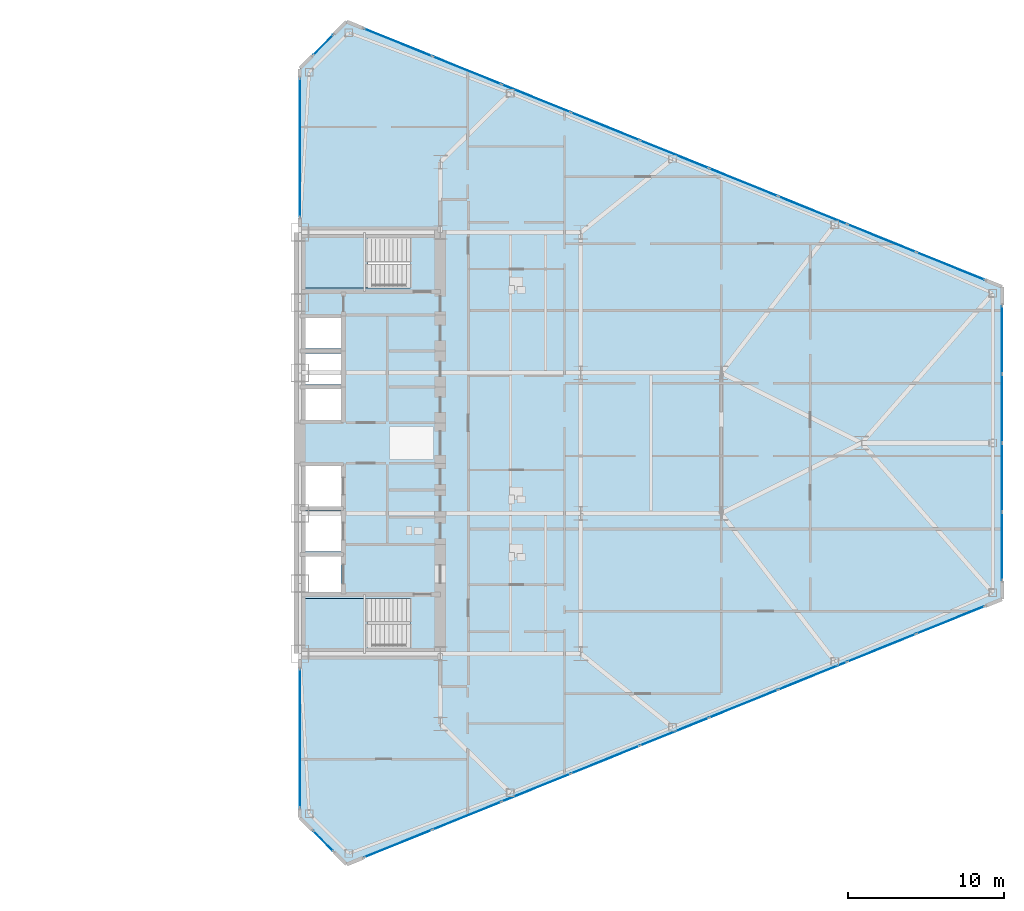
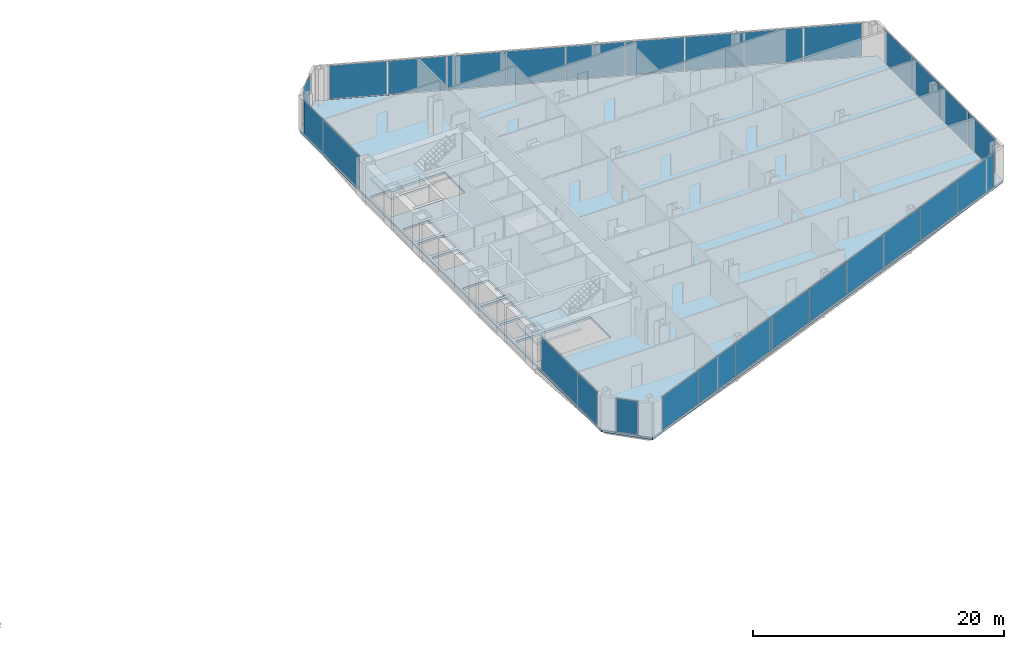
# One storey, part 16 of 25: 26 plates, 3 slabs, 9 elements without a shape of their own.
"""IFC4 building model written with IfcOpenShell, lengths in metres."""

from ifc_helpers import new_model, si_unit, direction, frame, origin, origin_2d, place, context, subcontext, project, spatial, polyline, rectangle, outline, extrude, source, transform, mapped, material, layer, layer_set, type_object, type_shapes, element, aggregate, save


model = new_model("IFC4")

# Units and contexts
model_context = context("Model", 3, precision=1e-05, world=origin(), true_north=direction((0.0, 1.0)))
body_context = subcontext(model_context, "Body", "Model", "MODEL_VIEW")
ifc_project = project(units=[si_unit("LENGTHUNIT", "METRE"), si_unit("AREAUNIT", "SQUARE_METRE"), si_unit("VOLUMEUNIT", "CUBIC_METRE"), si_unit("PLANEANGLEUNIT", "RADIAN"), si_unit("MASSUNIT", "GRAM", prefix="KILO")], contexts=[model_context])

# Site, building, storey
site_placement = place(None, origin())
site = spatial("IfcSite", under=ifc_project, at=site_placement, CompositionType="ELEMENT")
building_placement = place(site_placement, origin())
building = spatial("IfcBuilding", under=site, at=building_placement, Name="Seokmaru Belvedere", CompositionType="ELEMENT")
storey_placement = place(building_placement, frame((0.0, 0.0, 54.89990234375)))
storey = spatial("IfcBuildingStorey", under=building, at=storey_placement, Name="L14", CompositionType="ELEMENT", Elevation=54.89990234375)

# Stair, slab
ifc_material_1 = material(Name="Concrete C40 (40 MPa)", Category="concrete")
stair_type = type_object("IfcStairType", Name="Typical Tower Core Dog-Leg Stair 3600", PredefinedType="TWO_STRAIGHT_RUN_STAIR", material=ifc_material_1)
stair_1_placement = place(storey_placement, origin())
stair_1 = element("IfcStair", 1, at=stair_1_placement, inside=storey, type_object=stair_type, Name="L14 Special Escape Stair ST-E1", PredefinedType="TWO_STRAIGHT_RUN_STAIR")
ifc_layer_1 = layer(ifc_material_1, 0.199951171875)
ifc_layer_set_1 = layer_set([ifc_layer_1], Name="Concrete C40 (40 MPa)")
slab_type_1 = type_object("IfcSlabType", Name="Reinforced Concrete Stair Landing Slab 200", PredefinedType="LANDING", material=ifc_layer_set_1)
slab_1_placement = place(storey_placement, frame((0.0, 0.0, 1.60009765625)))
slab_1 = element("IfcSlab", 2, at=slab_1_placement, type_object=slab_type_1, Name="ST-E1 landing 1", PredefinedType="LANDING", context=body_context, shape_type="SweptSolid", body=[
    extrude(outline(polyline([(27.760009765625, -13.239990234375), (31.8798828125, -13.239990234375), (31.8798828125, -9.949951171875), (27.760009765625, -9.949951171875), (27.760009765625, -13.239990234375)])), origin(), (0.0, 0.0, 1.0), 0.199951171875),
])
aggregate(stair_1, [slab_1])

stair_2_placement = place(storey_placement, origin())
stair_2 = element("IfcStair", 3, at=stair_2_placement, inside=storey, type_object=stair_type, Name="L14 Special Escape Stair ST-E2", PredefinedType="TWO_STRAIGHT_RUN_STAIR")
slab_2_placement = place(storey_placement, frame((0.0, 0.0, 1.60009765625)))
slab_2 = element("IfcSlab", 4, at=slab_2_placement, type_object=slab_type_1, Name="ST-E2 landing 1", PredefinedType="LANDING", context=body_context, shape_type="SweptSolid", body=[
    extrude(outline(polyline([(27.760009765625, 9.949951171875), (31.8798828125, 9.949951171875), (31.8798828125, 13.239990234375), (27.760009765625, 13.239990234375), (27.760009765625, 9.949951171875)])), origin(), (0.0, 0.0, 1.0), 0.199951171875),
])
aggregate(stair_2, [slab_2])

# Slab
ifc_layer_2 = layer(ifc_material_1, 0.219970703125)
ifc_layer_set_2 = layer_set([ifc_layer_2], Name="Concrete C40 (40 MPa)")
slab_type_2 = type_object("IfcSlabType", Name="Typical Tower Composite Floor Slab 220", PredefinedType="FLOOR", material=ifc_layer_set_2)
slab_3_placement = place(storey_placement, frame((0.0, 0.0, -0.219970703125)))
element("IfcSlab", 5, at=slab_3_placement, inside=storey, type_object=slab_type_2, Name="L14 East Leg Floor Slab", PredefinedType="FLOOR", context=body_context, shape_type="SweptSolid", body=[
    extrude(outline(polyline([(30.5, -27.0), (72.5, -10.0), (72.5, 10.0), (30.5, 27.0), (27.5, 24.0), (27.5, -24.0), (30.5, -27.0)]), holes=[polyline([(27.75, -13.25), (34.60009765625, -13.25), (34.60009765625, -9.949951171875), (27.75, -9.949951171875), (27.75, -13.25)]), polyline([(27.75, 9.949951171875), (34.60009765625, 9.949951171875), (34.60009765625, 13.25), (27.75, 13.25), (27.75, 9.949951171875)]), polyline([(27.75, -9.550048828125), (30.14990234375, -9.550048828125), (30.14990234375, -7.25), (27.75, -7.25), (27.75, -9.550048828125)]), polyline([(27.75, -6.949951171875), (30.14990234375, -6.949951171875), (30.14990234375, -4.35009765625), (27.75, -4.35009765625), (27.75, -6.949951171875)]), polyline([(27.75, -4.050048828125), (30.14990234375, -4.050048828125), (30.14990234375, -1.449951171875), (27.75, -1.449951171875), (27.75, -4.050048828125)]), polyline([(27.75, 1.449951171875), (30.14990234375, 1.449951171875), (30.14990234375, 3.449951171875), (27.75, 3.449951171875), (27.75, 1.449951171875)]), polyline([(27.75, 3.75), (30.14990234375, 3.75), (30.14990234375, 5.75), (27.75, 5.75), (27.75, 3.75)]), polyline([(27.75, 6.050048828125), (30.14990234375, 6.050048828125), (30.14990234375, 8.050048828125), (27.75, 8.050048828125), (27.75, 6.050048828125)])]), origin(), (0.0, 0.0, 1.0), 0.219970703125),
])

# Curtain wall, plate
ifc_material_2 = material(Name="Bronze Triple Insulating Glass", Category="glass")
ifc_layer_3 = layer(ifc_material_2, 0.2099609375)
ifc_layer_set_3 = layer_set([ifc_layer_3], Name="Bronze Triple Insulating Glass")
curtain_wall_type = type_object("IfcCurtainWallType", Name="Low-Rise Faceted Crystal Curtain Wall System CW-2", PredefinedType="NOTDEFINED", material=ifc_layer_set_3)
curtain_wall_1_placement = place(storey_placement, origin())
curtain_wall_1 = element("IfcCurtainWall", 6, at=curtain_wall_1_placement, inside=storey, type_object=curtain_wall_type, Name="L14 Curtain Wall ESP_1", PredefinedType="NOTDEFINED")
ifc_layer_4 = layer(ifc_material_2, 0.035888671875)
ifc_layer_set_4 = layer_set([ifc_layer_4], Name="Bronze Triple Insulating Glass")
plate_type = type_object("IfcPlateType", Name="Bronze Triple Vision Glazing Panel 36", PredefinedType="CURTAIN_PANEL", material=ifc_layer_set_4)
shared_shape_1 = source(origin(), body_context, "Body", "SweptSolid", [
    extrude(rectangle(XDim=8.85009765625, YDim=0.035888671875, at=origin_2d()), origin(), (0.0, 0.0, 1.0), 3.239990234375),
])
plate_1_placement = place(storey_placement, frame((27.5, -18.929931640625, 0.0703125), z_axis=(0.0, 0.0, 1.0), x_axis=(0.0, -1.0, 0.0)))
plate_1 = element("IfcPlate", 7, at=plate_1_placement, type_object=plate_type, Name="CW:L14:ESP_1 Glazing Panel 1-1", PredefinedType="CURTAIN_PANEL", context=body_context, shape_type="MappedRepresentation", body=[
    mapped(shared_shape_1, transform((0.0, 0.0, 0.0), scale=1.0)),
])
aggregate(curtain_wall_1, [plate_1])

curtain_wall_2_placement = place(storey_placement, origin())
curtain_wall_2 = element("IfcCurtainWall", 8, at=curtain_wall_2_placement, inside=storey, type_object=curtain_wall_type, Name="L14 Curtain Wall ESP_2", PredefinedType="NOTDEFINED")
plate_2_placement = place(storey_placement, frame((27.5, 18.929931640625, 0.0703125), z_axis=(0.0, 0.0, 1.0), x_axis=(0.0, -1.0, 0.0)))
plate_2 = element("IfcPlate", 9, at=plate_2_placement, type_object=plate_type, Name="CW:L14:ESP_2 Glazing Panel 1-1", PredefinedType="CURTAIN_PANEL", context=body_context, shape_type="MappedRepresentation", body=[
    mapped(shared_shape_1, transform((0.0, 0.0, 0.0), scale=1.0)),
])
aggregate(curtain_wall_2, [plate_2])

curtain_wall_3_placement = place(storey_placement, origin())
curtain_wall_3 = element("IfcCurtainWall", 10, at=curtain_wall_3_placement, inside=storey, type_object=curtain_wall_type, Name="L14 Curtain Wall EF4", PredefinedType="NOTDEFINED")
shared_shape_2 = source(origin(), body_context, "Body", "SweptSolid", [
    extrude(rectangle(XDim=1.79248046875, YDim=0.035888671875, at=origin_2d()), origin(), (0.0, 0.0, 1.0), 3.239990234375),
])
plate_3_placement = place(storey_placement, frame((29.0, 25.5, 0.0703125), z_axis=(0.0, 0.0, 1.0), x_axis=(-0.707106781187, -0.707106781187, 0.0)))
plate_3 = element("IfcPlate", 11, at=plate_3_placement, type_object=plate_type, Name="CW:L14:EF4 Glazing Panel 1-1", PredefinedType="CURTAIN_PANEL", context=body_context, shape_type="MappedRepresentation", body=[
    mapped(shared_shape_2, transform((0.0, 0.0, 0.0), scale=1.0)),
])
aggregate(curtain_wall_3, [plate_3])

curtain_wall_4_placement = place(storey_placement, origin())
curtain_wall_4 = element("IfcCurtainWall", 12, at=curtain_wall_4_placement, inside=storey, type_object=curtain_wall_type, Name="L14 Curtain Wall EF6", PredefinedType="NOTDEFINED")
plate_4_placement = place(storey_placement, frame((29.0, -25.5, 0.0703125), z_axis=(0.0, 0.0, 1.0), x_axis=(0.707106781187, -0.707106781187, 0.0)))
plate_4 = element("IfcPlate", 13, at=plate_4_placement, type_object=plate_type, Name="CW:L14:EF6 Glazing Panel 1-1", PredefinedType="CURTAIN_PANEL", context=body_context, shape_type="MappedRepresentation", body=[
    mapped(shared_shape_2, transform((0.0, 0.0, 0.0), scale=1.0)),
])
aggregate(curtain_wall_4, [plate_4])

# Curtain wall, plates
curtain_wall_5_placement = place(storey_placement, origin())
curtain_wall_5 = element("IfcCurtainWall", 14, at=curtain_wall_5_placement, inside=storey, type_object=curtain_wall_type, Name="L14 Curtain Wall EF1", PredefinedType="NOTDEFINED")
shared_shape_3 = source(origin(), body_context, "Body", "SweptSolid", [
    extrude(rectangle(XDim=4.66650390625, YDim=0.035888671875, at=origin_2d()), origin(), (0.0, 0.0, 1.0), 3.239990234375),
])
plate_5_placement = place(storey_placement, frame((33.79833984375, -25.6650390625, 0.0703125), z_axis=(0.0, 0.0, 1.0), x_axis=(0.926946989637, 0.375192321888, 0.0)))
plate_5 = element("IfcPlate", 15, at=plate_5_placement, type_object=plate_type, Name="CW:L14:EF1 Glazing Panel 1-1", PredefinedType="CURTAIN_PANEL", context=body_context, shape_type="MappedRepresentation", body=[
    mapped(shared_shape_3, transform((0.0, 0.0, 0.0), scale=1.0)),
])
plate_6_placement = place(storey_placement, frame((69.20166015625, -11.3349609375, 0.0703125), z_axis=(0.0, 0.0, 1.0), x_axis=(0.926946989637, 0.375192321888, 0.0)))
plate_6 = element("IfcPlate", 16, at=plate_6_placement, type_object=plate_type, Name="CW:L14:EF1 Glazing Panel 9-1", PredefinedType="CURTAIN_PANEL", context=body_context, shape_type="MappedRepresentation", body=[
    mapped(shared_shape_3, transform((0.0, 0.0, 0.0), scale=1.0)),
])

curtain_wall_6_placement = place(storey_placement, origin())
curtain_wall_6 = element("IfcCurtainWall", 17, at=curtain_wall_6_placement, inside=storey, type_object=curtain_wall_type, Name="L14 Curtain Wall EF3", PredefinedType="NOTDEFINED")
plate_7_placement = place(storey_placement, frame((69.20166015625, 11.3349609375, 0.0703125), z_axis=(0.0, 0.0, 1.0), x_axis=(-0.926946989637, 0.375192321888, 0.0)))
plate_7 = element("IfcPlate", 18, at=plate_7_placement, type_object=plate_type, Name="CW:L14:EF3 Glazing Panel 1-1", PredefinedType="CURTAIN_PANEL", context=body_context, shape_type="MappedRepresentation", body=[
    mapped(shared_shape_3, transform((0.0, 0.0, 0.0), scale=1.0)),
])
plate_8_placement = place(storey_placement, frame((33.79833984375, 25.6650390625, 0.0703125), z_axis=(0.0, 0.0, 1.0), x_axis=(-0.926946989637, 0.375192321888, 0.0)))
plate_8 = element("IfcPlate", 19, at=plate_8_placement, type_object=plate_type, Name="CW:L14:EF3 Glazing Panel 9-1", PredefinedType="CURTAIN_PANEL", context=body_context, shape_type="MappedRepresentation", body=[
    mapped(shared_shape_3, transform((0.0, 0.0, 0.0), scale=1.0)),
])

# Plate
shared_shape_4 = source(origin(), body_context, "Body", "SweptSolid", [
    extrude(rectangle(XDim=4.703857421875, YDim=0.035888671875, at=origin_2d()), origin(), (0.0, 0.0, 1.0), 3.239990234375),
])
plate_9_placement = place(storey_placement, frame((38.210693359375, -23.87890625, 0.0703125), z_axis=(0.0, 0.0, 1.0), x_axis=(0.926946989637, 0.375192321888, 0.0)))
plate_9 = element("IfcPlate", 20, at=plate_9_placement, type_object=plate_type, Name="CW:L14:EF1 Glazing Panel 2-1", PredefinedType="CURTAIN_PANEL", context=body_context, shape_type="MappedRepresentation", body=[
    mapped(shared_shape_4, transform((0.0, 0.0, 0.0), scale=1.0)),
])

plate_10_placement = place(storey_placement, frame((42.640380859375, -22.0859375, 0.0703125), z_axis=(0.0, 0.0, 1.0), x_axis=(0.926946989637, 0.375192321888, 0.0)))
plate_10 = element("IfcPlate", 21, at=plate_10_placement, type_object=plate_type, Name="CW:L14:EF1 Glazing Panel 3-1", PredefinedType="CURTAIN_PANEL", context=body_context, shape_type="MappedRepresentation", body=[
    mapped(shared_shape_4, transform((0.0, 0.0, 0.0), scale=1.0)),
])

plate_11_placement = place(storey_placement, frame((47.0703125, -20.29296875, 0.0703125), z_axis=(0.0, 0.0, 1.0), x_axis=(0.926946989637, 0.375192321888, 0.0)))
plate_11 = element("IfcPlate", 22, at=plate_11_placement, type_object=plate_type, Name="CW:L14:EF1 Glazing Panel 4-1", PredefinedType="CURTAIN_PANEL", context=body_context, shape_type="MappedRepresentation", body=[
    mapped(shared_shape_4, transform((0.0, 0.0, 0.0), scale=1.0)),
])

plate_12_placement = place(storey_placement, frame((51.5, -18.5, 0.0703125), z_axis=(0.0, 0.0, 1.0), x_axis=(0.926946989637, 0.375192321888, 0.0)))
plate_12 = element("IfcPlate", 23, at=plate_12_placement, type_object=plate_type, Name="CW:L14:EF1 Glazing Panel 5-1", PredefinedType="CURTAIN_PANEL", context=body_context, shape_type="MappedRepresentation", body=[
    mapped(shared_shape_4, transform((0.0, 0.0, 0.0), scale=1.0)),
])

plate_13_placement = place(storey_placement, frame((55.9296875, -16.70703125, 0.0703125), z_axis=(0.0, 0.0, 1.0), x_axis=(0.926946989637, 0.375192321888, 0.0)))
plate_13 = element("IfcPlate", 24, at=plate_13_placement, type_object=plate_type, Name="CW:L14:EF1 Glazing Panel 6-1", PredefinedType="CURTAIN_PANEL", context=body_context, shape_type="MappedRepresentation", body=[
    mapped(shared_shape_4, transform((0.0, 0.0, 0.0), scale=1.0)),
])

plate_14_placement = place(storey_placement, frame((60.359619140625, -14.9140625, 0.0703125), z_axis=(0.0, 0.0, 1.0), x_axis=(0.926946989637, 0.375192321888, 0.0)))
plate_14 = element("IfcPlate", 25, at=plate_14_placement, type_object=plate_type, Name="CW:L14:EF1 Glazing Panel 7-1", PredefinedType="CURTAIN_PANEL", context=body_context, shape_type="MappedRepresentation", body=[
    mapped(shared_shape_4, transform((0.0, 0.0, 0.0), scale=1.0)),
])

plate_15_placement = place(storey_placement, frame((64.789306640625, -13.12109375, 0.0703125), z_axis=(0.0, 0.0, 1.0), x_axis=(0.926946989637, 0.375192321888, 0.0)))
plate_15 = element("IfcPlate", 26, at=plate_15_placement, type_object=plate_type, Name="CW:L14:EF1 Glazing Panel 8-1", PredefinedType="CURTAIN_PANEL", context=body_context, shape_type="MappedRepresentation", body=[
    mapped(shared_shape_4, transform((0.0, 0.0, 0.0), scale=1.0)),
])

aggregate(curtain_wall_5, [plate_5, plate_9, plate_10, plate_11, plate_12, plate_13, plate_14, plate_15, plate_6])

plate_16_placement = place(storey_placement, frame((64.789306640625, 13.12109375, 0.0703125), z_axis=(0.0, 0.0, 1.0), x_axis=(-0.926946989637, 0.375192321888, 0.0)))
plate_16 = element("IfcPlate", 27, at=plate_16_placement, type_object=plate_type, Name="CW:L14:EF3 Glazing Panel 2-1", PredefinedType="CURTAIN_PANEL", context=body_context, shape_type="MappedRepresentation", body=[
    mapped(shared_shape_4, transform((0.0, 0.0, 0.0), scale=1.0)),
])

plate_17_placement = place(storey_placement, frame((60.359619140625, 14.9140625, 0.0703125), z_axis=(0.0, 0.0, 1.0), x_axis=(-0.926946989637, 0.375192321888, 0.0)))
plate_17 = element("IfcPlate", 28, at=plate_17_placement, type_object=plate_type, Name="CW:L14:EF3 Glazing Panel 3-1", PredefinedType="CURTAIN_PANEL", context=body_context, shape_type="MappedRepresentation", body=[
    mapped(shared_shape_4, transform((0.0, 0.0, 0.0), scale=1.0)),
])

plate_18_placement = place(storey_placement, frame((55.9296875, 16.70703125, 0.0703125), z_axis=(0.0, 0.0, 1.0), x_axis=(-0.926946989637, 0.375192321888, 0.0)))
plate_18 = element("IfcPlate", 29, at=plate_18_placement, type_object=plate_type, Name="CW:L14:EF3 Glazing Panel 4-1", PredefinedType="CURTAIN_PANEL", context=body_context, shape_type="MappedRepresentation", body=[
    mapped(shared_shape_4, transform((0.0, 0.0, 0.0), scale=1.0)),
])

plate_19_placement = place(storey_placement, frame((51.5, 18.5, 0.0703125), z_axis=(0.0, 0.0, 1.0), x_axis=(-0.926946989637, 0.375192321888, 0.0)))
plate_19 = element("IfcPlate", 30, at=plate_19_placement, type_object=plate_type, Name="CW:L14:EF3 Glazing Panel 5-1", PredefinedType="CURTAIN_PANEL", context=body_context, shape_type="MappedRepresentation", body=[
    mapped(shared_shape_4, transform((0.0, 0.0, 0.0), scale=1.0)),
])

plate_20_placement = place(storey_placement, frame((47.0703125, 20.29296875, 0.0703125), z_axis=(0.0, 0.0, 1.0), x_axis=(-0.926946989637, 0.375192321888, 0.0)))
plate_20 = element("IfcPlate", 31, at=plate_20_placement, type_object=plate_type, Name="CW:L14:EF3 Glazing Panel 6-1", PredefinedType="CURTAIN_PANEL", context=body_context, shape_type="MappedRepresentation", body=[
    mapped(shared_shape_4, transform((0.0, 0.0, 0.0), scale=1.0)),
])

plate_21_placement = place(storey_placement, frame((42.640380859375, 22.0859375, 0.0703125), z_axis=(0.0, 0.0, 1.0), x_axis=(-0.926946989637, 0.375192321888, 0.0)))
plate_21 = element("IfcPlate", 32, at=plate_21_placement, type_object=plate_type, Name="CW:L14:EF3 Glazing Panel 7-1", PredefinedType="CURTAIN_PANEL", context=body_context, shape_type="MappedRepresentation", body=[
    mapped(shared_shape_4, transform((0.0, 0.0, 0.0), scale=1.0)),
])

plate_22_placement = place(storey_placement, frame((38.210693359375, 23.87890625, 0.0703125), z_axis=(0.0, 0.0, 1.0), x_axis=(-0.926946989637, 0.375192321888, 0.0)))
plate_22 = element("IfcPlate", 33, at=plate_22_placement, type_object=plate_type, Name="CW:L14:EF3 Glazing Panel 8-1", PredefinedType="CURTAIN_PANEL", context=body_context, shape_type="MappedRepresentation", body=[
    mapped(shared_shape_4, transform((0.0, 0.0, 0.0), scale=1.0)),
])

aggregate(curtain_wall_6, [plate_7, plate_16, plate_17, plate_18, plate_19, plate_20, plate_21, plate_22, plate_8])

# Curtain wall, plates
curtain_wall_7_placement = place(storey_placement, origin())
curtain_wall_7 = element("IfcCurtainWall", 34, at=curtain_wall_7_placement, inside=storey, type_object=curtain_wall_type, Name="L14 Curtain Wall EF2", PredefinedType="NOTDEFINED")
shared_shape_5 = source(origin(), body_context, "Body", "SweptSolid", [
    extrude(rectangle(XDim=4.3125, YDim=0.035888671875, at=origin_2d()), origin(), (0.0, 0.0, 1.0), 3.239990234375),
])
plate_23_placement = place(storey_placement, frame((72.5, -6.61865234375, 0.0703125), z_axis=(0.0, 0.0, 1.0), x_axis=(0.0, 1.0, 0.0)))
plate_23 = element("IfcPlate", 35, at=plate_23_placement, type_object=plate_type, Name="CW:L14:EF2 Glazing Panel 1-1", PredefinedType="CURTAIN_PANEL", context=body_context, shape_type="MappedRepresentation", body=[
    mapped(shared_shape_5, transform((0.0, 0.0, 0.0), scale=1.0)),
])
plate_24_placement = place(storey_placement, frame((72.5, 6.61865234375, 0.0703125), z_axis=(0.0, 0.0, 1.0), x_axis=(0.0, 1.0, 0.0)))
plate_24 = element("IfcPlate", 36, at=plate_24_placement, type_object=plate_type, Name="CW:L14:EF2 Glazing Panel 4-1", PredefinedType="CURTAIN_PANEL", context=body_context, shape_type="MappedRepresentation", body=[
    mapped(shared_shape_5, transform((0.0, 0.0, 0.0), scale=1.0)),
])
shared_shape_6 = source(origin(), body_context, "Body", "SweptSolid", [
    extrude(rectangle(XDim=4.35009765625, YDim=0.035888671875, at=origin_2d()), origin(), (0.0, 0.0, 1.0), 3.239990234375),
])
type_shapes(plate_type, [shared_shape_1, shared_shape_2, shared_shape_3, shared_shape_4, shared_shape_5, shared_shape_6])
plate_25_placement = place(storey_placement, frame((72.5, -2.21240234375, 0.0703125), z_axis=(0.0, 0.0, 1.0), x_axis=(0.0, 1.0, 0.0)))
plate_25 = element("IfcPlate", 37, at=plate_25_placement, type_object=plate_type, Name="CW:L14:EF2 Glazing Panel 2-1", PredefinedType="CURTAIN_PANEL", context=body_context, shape_type="MappedRepresentation", body=[
    mapped(shared_shape_6, transform((0.0, 0.0, 0.0), scale=1.0)),
])
plate_26_placement = place(storey_placement, frame((72.5, 2.21240234375, 0.0703125), z_axis=(0.0, 0.0, 1.0), x_axis=(0.0, 1.0, 0.0)))
plate_26 = element("IfcPlate", 38, at=plate_26_placement, type_object=plate_type, Name="CW:L14:EF2 Glazing Panel 3-1", PredefinedType="CURTAIN_PANEL", context=body_context, shape_type="MappedRepresentation", body=[
    mapped(shared_shape_6, transform((0.0, 0.0, 0.0), scale=1.0)),
])
aggregate(curtain_wall_7, [plate_23, plate_25, plate_26, plate_24])

save(model, "model.ifc")
